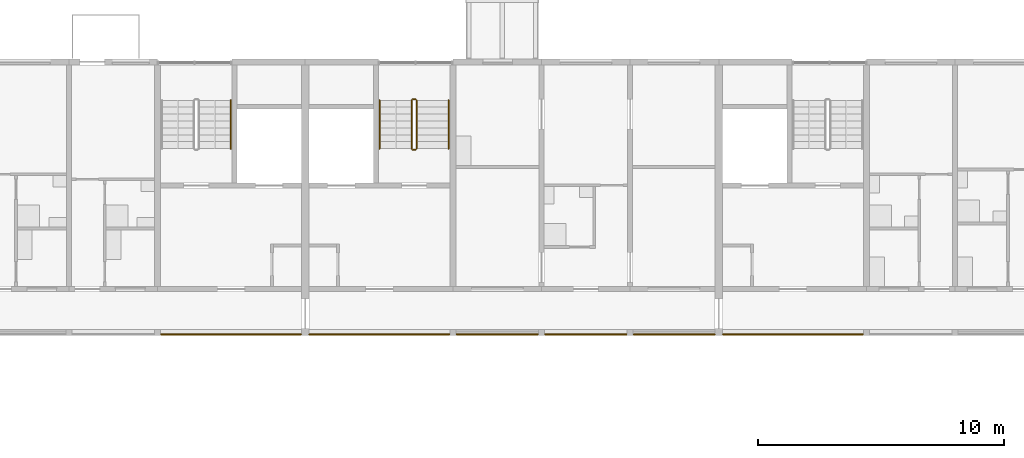
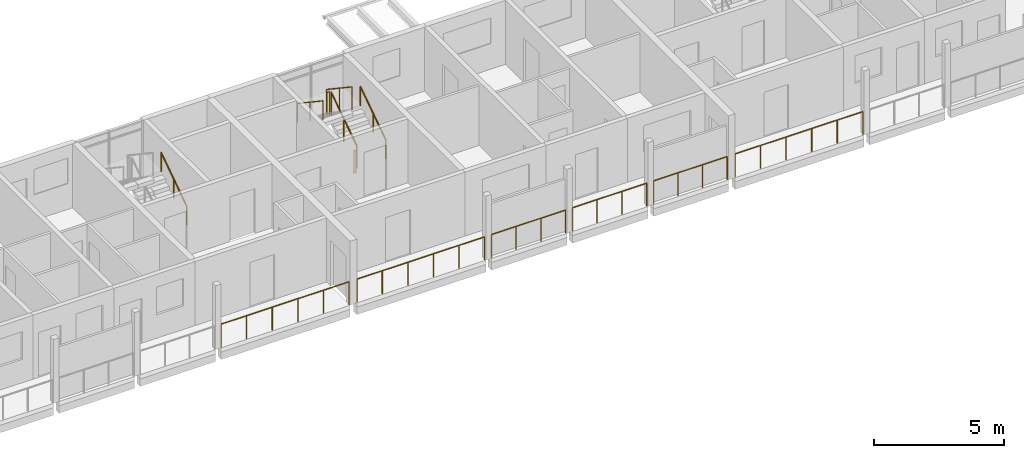
# One storey, part 79 of 93: 13 railings.
"""IFC4 building model written with IfcOpenShell, lengths in metres."""

from ifc_helpers import new_model, si_unit, direction, frame, origin, origin_2d, place, context, subcontext, project, spatial, circle, extrude, material, type_object, element, save


model = new_model("IFC4")

# Units and contexts
model_context = context("Model", 3, precision=1e-05, world=origin(), true_north=direction((0.0, 1.0)))
body_context = subcontext(model_context, "Body", "Model", "MODEL_VIEW")
ifc_project = project(units=[si_unit("LENGTHUNIT", "METRE"), si_unit("AREAUNIT", "SQUARE_METRE"), si_unit("VOLUMEUNIT", "CUBIC_METRE"), si_unit("PLANEANGLEUNIT", "RADIAN"), si_unit("MASSUNIT", "GRAM", prefix="KILO")], contexts=[model_context])

# Site, building, storey
site_placement = place(None, origin())
site = spatial("IfcSite", under=ifc_project, at=site_placement, CompositionType="ELEMENT")
building_placement = place(site_placement, origin())
building = spatial("IfcBuilding", under=site, at=building_placement, Name="Ridgestep Commons", CompositionType="ELEMENT")
storey_placement = place(building_placement, frame((0.0, 0.0, 18.0)))
storey = spatial("IfcBuildingStorey", under=building, at=storey_placement, Name="L06", CompositionType="ELEMENT", Elevation=18.0)

# Railings
ifc_material_1 = material(Name="Structural steel S355JR", Category="steel")
railing_type_1 = type_object("IfcRailingType", Name="Guard 1100", PredefinedType="GUARDRAIL", material=ifc_material_1)
railing_1_placement = place(storey_placement, frame((73.345947265625, 66.050048828125, 0.0)))
element("IfcRailing", 1, at=railing_1_placement, inside=storey, type_object=railing_type_1, Name="Gallery guard B 06.16", PredefinedType="GUARDRAIL", context=body_context, shape_type="SweptSolid", body=[
    extrude(circle(Radius=0.02392578125, at=origin_2d()), frame((0.0, 0.0, 1.076171875), z_axis=(1.0, 0.0, 0.0), x_axis=(0.0, 1.0, 0.0)), (0.0, 0.0, 1.0), 5.68310546875),
    extrude(circle(Radius=0.02099609375, at=origin_2d()), origin(), (0.0, 0.0, 1.0), 1.052001953125),
    extrude(circle(Radius=0.02099609375, at=origin_2d()), frame((1.13671875, 0.0, 0.0)), (0.0, 0.0, 1.0), 1.052001953125),
    extrude(circle(Radius=0.02099609375, at=origin_2d()), frame((2.273193359375, 0.0, 0.0)), (0.0, 0.0, 1.0), 1.052001953125),
    extrude(circle(Radius=0.02099609375, at=origin_2d()), frame((3.409912109375, 0.0, 0.0)), (0.0, 0.0, 1.0), 1.052001953125),
    extrude(circle(Radius=0.02099609375, at=origin_2d()), frame((4.54638671875, 0.0, 0.0)), (0.0, 0.0, 1.0), 1.052001953125),
    extrude(circle(Radius=0.02099609375, at=origin_2d()), frame((5.68310546875, 0.0, 0.0)), (0.0, 0.0, 1.0), 1.052001953125),
])
railing_2_placement = place(storey_placement, frame((79.37109375, 66.050048828125, 0.0)))
element("IfcRailing", 2, at=railing_2_placement, inside=storey, type_object=railing_type_1, Name="Gallery guard B 06.17", PredefinedType="GUARDRAIL", context=body_context, shape_type="SweptSolid", body=[
    extrude(circle(Radius=0.02392578125, at=origin_2d()), frame((0.0, 0.0, 1.076171875), z_axis=(1.0, 0.0, 0.0), x_axis=(0.0, 1.0, 0.0)), (0.0, 0.0, 1.0), 5.682861328125),
    extrude(circle(Radius=0.02099609375, at=origin_2d()), origin(), (0.0, 0.0, 1.0), 1.052001953125),
    extrude(circle(Radius=0.02099609375, at=origin_2d()), frame((1.136474609375, 0.0, 0.0)), (0.0, 0.0, 1.0), 1.052001953125),
    extrude(circle(Radius=0.02099609375, at=origin_2d()), frame((2.273193359375, 0.0, 0.0)), (0.0, 0.0, 1.0), 1.052001953125),
    extrude(circle(Radius=0.02099609375, at=origin_2d()), frame((3.40966796875, 0.0, 0.0)), (0.0, 0.0, 1.0), 1.052001953125),
    extrude(circle(Radius=0.02099609375, at=origin_2d()), frame((4.54638671875, 0.0, 0.0)), (0.0, 0.0, 1.0), 1.052001953125),
    extrude(circle(Radius=0.02099609375, at=origin_2d()), frame((5.682861328125, 0.0, 0.0)), (0.0, 0.0, 1.0), 1.052001953125),
])
railing_3_placement = place(storey_placement, frame((85.345947265625, 66.050048828125, 0.0)))
element("IfcRailing", 3, at=railing_3_placement, inside=storey, type_object=railing_type_1, Name="Gallery guard B 06.18", PredefinedType="GUARDRAIL", context=body_context, shape_type="SweptSolid", body=[
    extrude(circle(Radius=0.02392578125, at=origin_2d()), frame((0.0, 0.0, 1.076171875), z_axis=(1.0, 0.0, 0.0), x_axis=(0.0, 1.0, 0.0)), (0.0, 0.0, 1.0), 3.30810546875),
    extrude(circle(Radius=0.02099609375, at=origin_2d()), origin(), (0.0, 0.0, 1.0), 1.052001953125),
    extrude(circle(Radius=0.02099609375, at=origin_2d()), frame((1.102783203125, 0.0, 0.0)), (0.0, 0.0, 1.0), 1.052001953125),
    extrude(circle(Radius=0.02099609375, at=origin_2d()), frame((2.205322265625, 0.0, 0.0)), (0.0, 0.0, 1.0), 1.052001953125),
    extrude(circle(Radius=0.02099609375, at=origin_2d()), frame((3.30810546875, 0.0, 0.0)), (0.0, 0.0, 1.0), 1.052001953125),
])
railing_4_placement = place(storey_placement, frame((88.946044921875, 66.050048828125, 0.0)))
element("IfcRailing", 4, at=railing_4_placement, inside=storey, type_object=railing_type_1, Name="Gallery guard B 06.19", PredefinedType="GUARDRAIL", context=body_context, shape_type="SweptSolid", body=[
    extrude(circle(Radius=0.02392578125, at=origin_2d()), frame((0.0, 0.0, 1.076171875), z_axis=(1.0, 0.0, 0.0), x_axis=(0.0, 1.0, 0.0)), (0.0, 0.0, 1.0), 3.307861328125),
    extrude(circle(Radius=0.02099609375, at=origin_2d()), origin(), (0.0, 0.0, 1.0), 1.052001953125),
    extrude(circle(Radius=0.02099609375, at=origin_2d()), frame((1.1025390625, 0.0, 0.0)), (0.0, 0.0, 1.0), 1.052001953125),
    extrude(circle(Radius=0.02099609375, at=origin_2d()), frame((2.205322265625, 0.0, 0.0)), (0.0, 0.0, 1.0), 1.052001953125),
    extrude(circle(Radius=0.02099609375, at=origin_2d()), frame((3.307861328125, 0.0, 0.0)), (0.0, 0.0, 1.0), 1.052001953125),
])
railing_5_placement = place(storey_placement, frame((92.5458984375, 66.050048828125, 0.0)))
element("IfcRailing", 5, at=railing_5_placement, inside=storey, type_object=railing_type_1, Name="Gallery guard B 06.20", PredefinedType="GUARDRAIL", context=body_context, shape_type="SweptSolid", body=[
    extrude(circle(Radius=0.02392578125, at=origin_2d()), frame((0.0, 0.0, 1.076171875), z_axis=(1.0, 0.0, 0.0), x_axis=(0.0, 1.0, 0.0)), (0.0, 0.0, 1.0), 3.283203125),
    extrude(circle(Radius=0.02099609375, at=origin_2d()), origin(), (0.0, 0.0, 1.0), 1.052001953125),
    extrude(circle(Radius=0.02099609375, at=origin_2d()), frame((1.094482421875, 0.0, 0.0)), (0.0, 0.0, 1.0), 1.052001953125),
    extrude(circle(Radius=0.02099609375, at=origin_2d()), frame((2.188720703125, 0.0, 0.0)), (0.0, 0.0, 1.0), 1.052001953125),
    extrude(circle(Radius=0.02099609375, at=origin_2d()), frame((3.283203125, 0.0, 0.0)), (0.0, 0.0, 1.0), 1.052001953125),
])
railing_6_placement = place(storey_placement, frame((96.1708984375, 66.050048828125, 0.0)))
element("IfcRailing", 6, at=railing_6_placement, inside=storey, type_object=railing_type_1, Name="Gallery guard B 06.21", PredefinedType="GUARDRAIL", context=body_context, shape_type="SweptSolid", body=[
    extrude(circle(Radius=0.02392578125, at=origin_2d()), frame((0.0, 0.0, 1.076171875), z_axis=(1.0, 0.0, 0.0), x_axis=(0.0, 1.0, 0.0)), (0.0, 0.0, 1.0), 5.68310546875),
    extrude(circle(Radius=0.02099609375, at=origin_2d()), origin(), (0.0, 0.0, 1.0), 1.052001953125),
    extrude(circle(Radius=0.02099609375, at=origin_2d()), frame((1.13671875, 0.0, 0.0)), (0.0, 0.0, 1.0), 1.052001953125),
    extrude(circle(Radius=0.02099609375, at=origin_2d()), frame((2.273193359375, 0.0, 0.0)), (0.0, 0.0, 1.0), 1.052001953125),
    extrude(circle(Radius=0.02099609375, at=origin_2d()), frame((3.409912109375, 0.0, 0.0)), (0.0, 0.0, 1.0), 1.052001953125),
    extrude(circle(Radius=0.02099609375, at=origin_2d()), frame((4.54638671875, 0.0, 0.0)), (0.0, 0.0, 1.0), 1.052001953125),
    extrude(circle(Radius=0.02099609375, at=origin_2d()), frame((5.68310546875, 0.0, 0.0)), (0.0, 0.0, 1.0), 1.052001953125),
])
ifc_material_2 = material(Name="Structural steel S355JR", Category="steel")
railing_type_2 = type_object("IfcRailingType", Name="Stair guard 1100", PredefinedType="GUARDRAIL", material=ifc_material_2)
railing_7_placement = place(storey_placement, frame((83.72509765625, 73.60009765625, 0.1875)))
element("IfcRailing", 7, at=railing_7_placement, inside=storey, type_object=railing_type_2, Name="L06 B5C stair guard 1", PredefinedType="GUARDRAIL", context=body_context, shape_type="SweptSolid", body=[
    extrude(circle(Radius=0.02392578125, at=origin_2d()), frame((0.0, 0.0, 1.076171875), z_axis=(0.0, 0.830902050051, 0.556418712142), x_axis=(-1.0, 0.0, 0.0)), (0.0, 0.0, 1.0), 2.35888671875),
    extrude(circle(Radius=0.02099609375, at=origin_2d()), origin(), (0.0, 0.0, 1.0), 1.052001953125),
    extrude(circle(Radius=0.02099609375, at=origin_2d()), frame((0.0, 0.97998046875, 0.65625)), (0.0, 0.0, 1.0), 1.052001953125),
    extrude(circle(Radius=0.02099609375, at=origin_2d()), frame((0.0, 1.9599609375, 1.3125)), (0.0, 0.0, 1.0), 1.052001953125),
])
railing_8_placement = place(storey_placement, frame((83.675048828125, 75.610107421875, 1.5)))
element("IfcRailing", 8, at=railing_8_placement, inside=storey, type_object=railing_type_2, Name="L06 B5C stair guard 2", PredefinedType="GUARDRAIL", context=body_context, shape_type="SweptSolid", body=[
    extrude(circle(Radius=0.02392578125, at=origin_2d()), frame((0.0, 0.0, 1.076171875), z_axis=(-1.0, 0.0, 0.0), x_axis=(0.0, -1.0, 0.0)), (0.0, 0.0, 1.0), 0.10009765625),
    extrude(circle(Radius=0.02099609375, at=origin_2d()), origin(), (0.0, 0.0, 1.0), 1.052001953125),
    extrude(circle(Radius=0.02099609375, at=origin_2d()), frame((-0.10009765625, 0.0, 0.0)), (0.0, 0.0, 1.0), 1.052001953125),
])
railing_9_placement = place(storey_placement, frame((83.52490234375, 75.56005859375, 1.6875)))
element("IfcRailing", 9, at=railing_9_placement, inside=storey, type_object=railing_type_2, Name="L06 B5C stair guard 3", PredefinedType="GUARDRAIL", context=body_context, shape_type="SweptSolid", body=[
    extrude(circle(Radius=0.02392578125, at=origin_2d()), frame((0.0, 0.0, 1.076171875), z_axis=(0.0, -0.830902050051, 0.556418712142), x_axis=(1.0, 0.0, 0.0)), (0.0, 0.0, 1.0), 2.35888671875),
    extrude(circle(Radius=0.02099609375, at=origin_2d()), origin(), (0.0, 0.0, 1.0), 1.052001953125),
    extrude(circle(Radius=0.02099609375, at=origin_2d()), frame((0.0, -0.97998046875, 0.65625)), (0.0, 0.0, 1.0), 1.052001953125),
    extrude(circle(Radius=0.02099609375, at=origin_2d()), frame((0.0, -1.9599609375, 1.3125)), (0.0, 0.0, 1.0), 1.052001953125),
])
railing_10_placement = place(storey_placement, frame((83.675048828125, 73.550048828125, 0.0)))
element("IfcRailing", 10, at=railing_10_placement, inside=storey, type_object=railing_type_2, Name="L06 B5C stair guard 4", PredefinedType="GUARDRAIL", context=body_context, shape_type="SweptSolid", body=[
    extrude(circle(Radius=0.02392578125, at=origin_2d()), frame((0.0, 0.0, 1.076171875), z_axis=(-1.0, 0.0, 0.0), x_axis=(0.0, -1.0, 0.0)), (0.0, 0.0, 1.0), 0.10009765625),
    extrude(circle(Radius=0.02099609375, at=origin_2d()), origin(), (0.0, 0.0, 1.0), 1.052001953125),
    extrude(circle(Radius=0.02099609375, at=origin_2d()), frame((-0.10009765625, 0.0, 0.0)), (0.0, 0.0, 1.0), 1.052001953125),
])
ifc_material_3 = material(Name="Structural steel S355JR", Category="steel")
railing_type_3 = type_object("IfcRailingType", Name="Stair handrail 900", PredefinedType="HANDRAIL", material=ifc_material_3)
for number, where, name in (
    (11, (76.175048828125, 73.60009765625, 0.1875), "L06 B4C stair handrail 1"),
    (12, (85.02490234375, 73.60009765625, 0.1875), "L06 B5C stair handrail 1"),
):
    element("IfcRailing", number, at=place(storey_placement, frame(where)), inside=storey, type_object=railing_type_3, Name=name, PredefinedType="HANDRAIL", context=body_context, shape_type="SweptSolid", body=[
        extrude(circle(Radius=0.02392578125, at=origin_2d()), frame((0.0, 0.0, 0.8759765625), z_axis=(0.0, 0.830902050051, 0.556418712142), x_axis=(-1.0, 0.0, 0.0)), (0.0, 0.0, 1.0), 2.35888671875),
        extrude(circle(Radius=0.02099609375, at=origin_2d()), origin(), (0.0, 0.0, 1.0), 0.851806640625),
        extrude(circle(Radius=0.02099609375, at=origin_2d()), frame((0.0, 0.97998046875, 0.65625)), (0.0, 0.0, 1.0), 0.851806640625),
        extrude(circle(Radius=0.02099609375, at=origin_2d()), frame((0.0, 1.9599609375, 1.3125)), (0.0, 0.0, 1.0), 0.851806640625),
    ])
railing_11_placement = place(storey_placement, frame((82.22509765625, 75.56005859375, 1.6875)))
element("IfcRailing", 13, at=railing_11_placement, inside=storey, type_object=railing_type_3, Name="L06 B5C stair handrail 2", PredefinedType="HANDRAIL", context=body_context, shape_type="SweptSolid", body=[
    extrude(circle(Radius=0.02392578125, at=origin_2d()), frame((0.0, 0.0, 0.8759765625), z_axis=(0.0, -0.830902050051, 0.556418712142), x_axis=(1.0, 0.0, 0.0)), (0.0, 0.0, 1.0), 2.35888671875),
    extrude(circle(Radius=0.02099609375, at=origin_2d()), origin(), (0.0, 0.0, 1.0), 0.851806640625),
    extrude(circle(Radius=0.02099609375, at=origin_2d()), frame((0.0, -0.97998046875, 0.65625)), (0.0, 0.0, 1.0), 0.851806640625),
    extrude(circle(Radius=0.02099609375, at=origin_2d()), frame((0.0, -1.9599609375, 1.3125)), (0.0, 0.0, 1.0), 0.851806640625),
])

save(model, "model.ifc")
